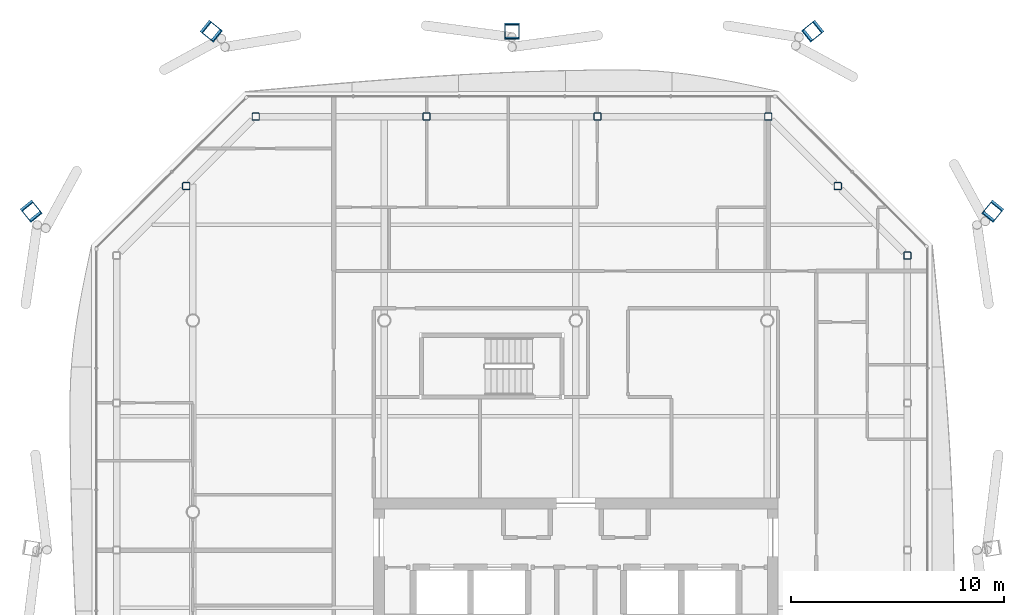
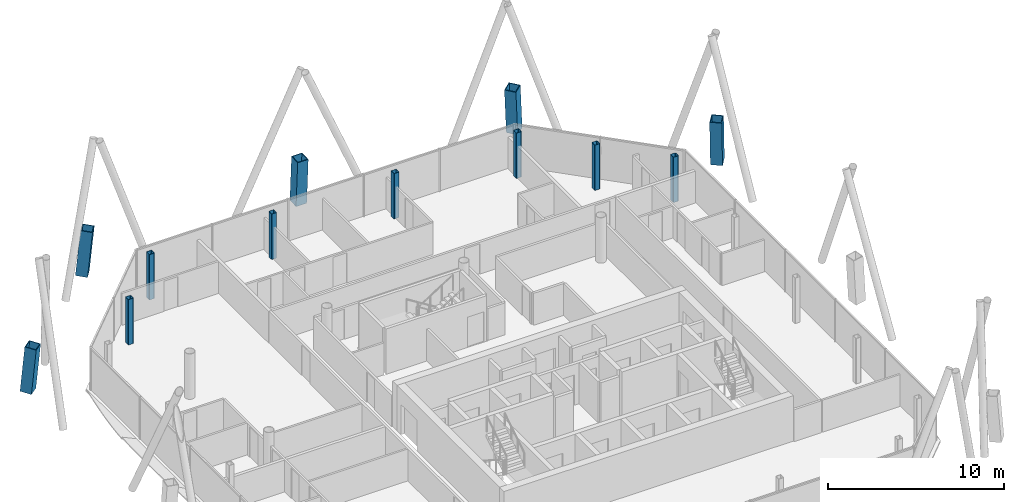
# One storey, part 3 of 20: 12 columns.
"""IFC4 building model written with IfcOpenShell, lengths in metres."""

from ifc_helpers import new_model, si_unit, direction, frame, origin, origin_2d, place, context, subcontext, project, spatial, hollow_rectangle, extrude, material, material_profile, profile_set, type_object, element, save


model = new_model("IFC4")

# Units and contexts
model_context = context("Model", 3, precision=1e-05, world=origin(), true_north=direction((0.0, 1.0)))
body_context = subcontext(model_context, "Body", "Model", "MODEL_VIEW")
ifc_project = project(units=[si_unit("LENGTHUNIT", "METRE"), si_unit("AREAUNIT", "SQUARE_METRE"), si_unit("VOLUMEUNIT", "CUBIC_METRE"), si_unit("PLANEANGLEUNIT", "RADIAN"), si_unit("MASSUNIT", "GRAM", prefix="KILO")], contexts=[model_context])

# Site, building, storey
site_placement = place(None, origin())
site = spatial("IfcSite", under=ifc_project, at=site_placement, CompositionType="ELEMENT")
building_placement = place(site_placement, origin())
building = spatial("IfcBuilding", under=site, at=building_placement, Name="Tskaro Facet Tower", CompositionType="ELEMENT")
storey_placement = place(building_placement, frame((0.0, 0.0, 200.550048828125)))
storey = spatial("IfcBuildingStorey", under=building, at=storey_placement, Name="L51", CompositionType="ELEMENT", Elevation=200.550048828125)

# Columns
ifc_material_1 = material(Name="Steel S460M", Category="steel")
ifc_material_profile_1 = material_profile(ifc_material_1, hollow_rectangle(XDim=0.699951171875, YDim=0.699951171875, WallThickness=0.044921875, at=origin_2d()), Name="BOX 700x700x45")
ifc_profile_set_1 = profile_set([ifc_material_profile_1], Name="Steel S460M")
column_type_1 = type_object("IfcColumnType", Name="BOX 700x700x45 mega column", PredefinedType="COLUMN", material=ifc_profile_set_1)
for number, where, z_axis, x_axis, name in (
    (1, (19.633056640625, 14.177001953125, 0.0), (-0.057882880729, -0.071774772104, 0.99573990289), (0.778413039475, -0.62775245119, 0.0), "BOX 700x700x45 MC06/4"),
    (2, (11.177001953125, 22.633056640625, 0.0), (-0.071774772104, -0.057882880729, 0.99573990289), (0.62775245119, -0.778413039475, 0.0), "BOX 700x700x45 MC07/4"),
):
    element("IfcColumn", number, at=place(storey_placement, frame(where, z_axis=z_axis, x_axis=x_axis)), inside=storey, type_object=column_type_1, Name=name, PredefinedType="COLUMN", context=body_context, shape_type="SweptSolid", body=[
        extrude(hollow_rectangle(XDim=0.699951171875, YDim=0.699951171875, WallThickness=0.044921875, at=origin_2d()), origin(), (0.0, 0.0, 1.0), 3.163330078125),
    ])
column_placement = place(storey_placement, frame((-3.0, 22.633056640625, 0.0), z_axis=(0.0, -0.058032554517, 0.998314691175), x_axis=(1.0, 0.0, 0.0)))
element("IfcColumn", 3, at=column_placement, inside=storey, type_object=column_type_1, Name="BOX 700x700x45 MC08/4", PredefinedType="COLUMN", context=body_context, shape_type="SweptSolid", body=[
    extrude(hollow_rectangle(XDim=0.699951171875, YDim=0.699951171875, WallThickness=0.044921875, at=origin_2d()), origin(), (0.0, 0.0, 1.0), 3.1552734375),
])
for number, where, z_axis, x_axis, name in (
    (4, (-17.177001953125, 22.633056640625, 0.0), (0.071774772104, -0.057882880729, 0.99573990289), (0.62775245119, 0.778413039475, 0.0), "BOX 700x700x45 MC09/4"),
    (5, (-25.633056640625, 14.177001953125, 0.0), (0.057882880729, -0.071774772104, 0.99573990289), (0.778413039475, 0.62775245119, 0.0), "BOX 700x700x45 MC10/4"),
):
    element("IfcColumn", number, at=place(storey_placement, frame(where, z_axis=z_axis, x_axis=x_axis)), inside=storey, type_object=column_type_1, Name=name, PredefinedType="COLUMN", context=body_context, shape_type="SweptSolid", body=[
        extrude(hollow_rectangle(XDim=0.699951171875, YDim=0.699951171875, WallThickness=0.044921875, at=origin_2d()), origin(), (0.0, 0.0, 1.0), 3.163330078125),
    ])
ifc_material_2 = material(Name="Steel S355J2H", Category="steel")
ifc_material_profile_2 = material_profile(ifc_material_2, hollow_rectangle(XDim=0.35009765625, YDim=0.35009765625, WallThickness=0.02001953125, InnerFilletRadius=0.030029296875, OuterFilletRadius=0.050048828125, at=origin_2d()), Name="SHS 350x350x20")
ifc_profile_set_2 = profile_set([ifc_material_profile_2], Name="Steel S355J2H")
column_type_2 = type_object("IfcColumnType", Name="SHS 350x350x20 ring column", PredefinedType="COLUMN", material=ifc_profile_set_2)
for number, where, z_axis, x_axis, name in (
    (6, (15.5830078125, 12.0458984375, 0.0), (0.0, 0.0, 1.0), (1.0, 0.0, 0.0), "SHS 350x350x20 RNE-1/4"),
    (7, (12.31396484375, 15.31396484375, 0.0), (0.0, 0.0, 1.0), (1.0, 0.0, 0.0), "SHS 350x350x20 RNE-2/4"),
    (8, (9.0458984375, 18.5830078125, 0.0), (0.0, 0.0, 1.0), (1.0, 0.0, 0.0), "SHS 350x350x20 RN-1/4"),
    (9, (1.014892578125, 18.5830078125, 0.0), (0.0, 0.0, 1.0), (1.0, 0.0, 0.0), "SHS 350x350x20 RN-2/4"),
    (10, (-7.014892578125, 18.5830078125, 0.0), (0.0, 0.0, 1.0), (1.0, 0.0, 0.0), "SHS 350x350x20 RN-3/4"),
    (11, (-15.0458984375, 18.5830078125, 0.0), (0.0, 0.0, 1.0), (1.0, 0.0, 0.0), "SHS 350x350x20 RNW-1/4"),
    (12, (-18.31396484375, 15.31396484375, 0.0), (0.0, 0.0, 1.0), (1.0, 0.0, 0.0), "SHS 350x350x20 RNW-2/4"),
):
    element("IfcColumn", number, at=place(storey_placement, frame(where, z_axis=z_axis, x_axis=x_axis)), inside=storey, type_object=column_type_2, Name=name, PredefinedType="COLUMN", context=body_context, shape_type="SweptSolid", body=[
        extrude(hollow_rectangle(XDim=0.35009765625, YDim=0.35009765625, WallThickness=0.02001953125, InnerFilletRadius=0.030029296875, OuterFilletRadius=0.050048828125, at=origin_2d()), origin(), (0.0, 0.0, 1.0), 3.14990234375),
    ])

save(model, "model.ifc")
